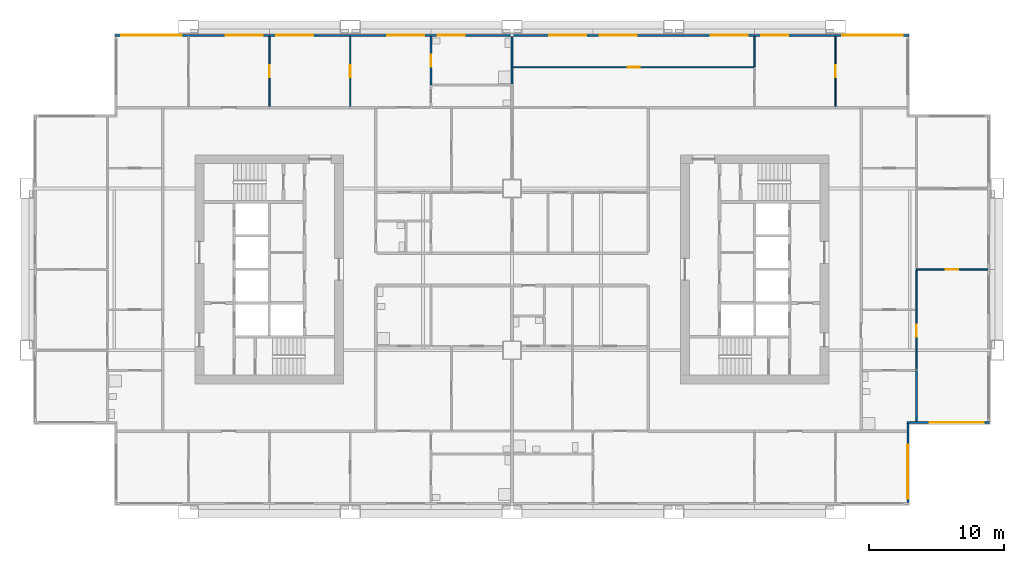
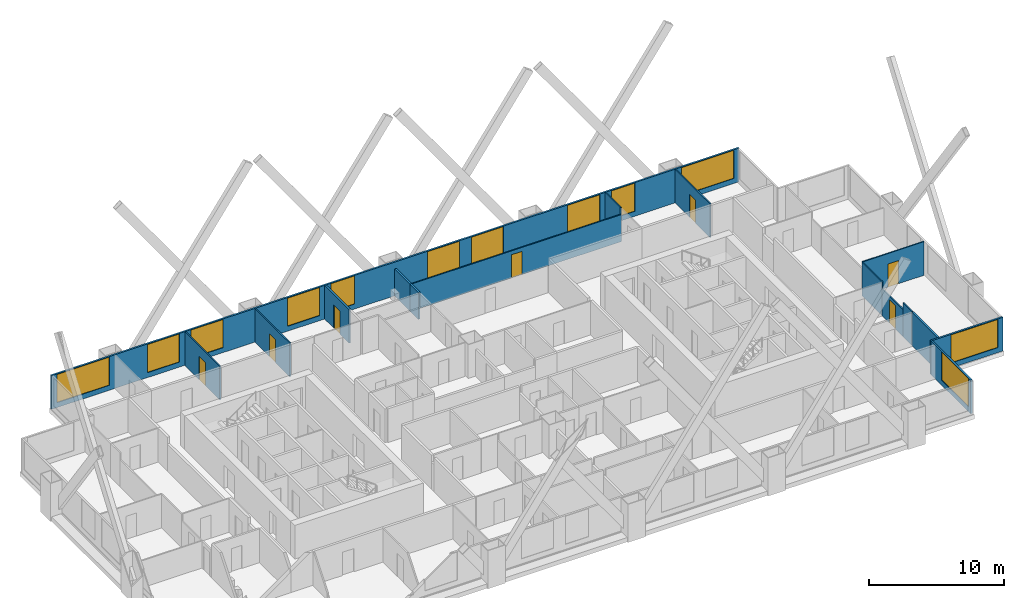
# One storey, part 8 of 11: 16 walls, 12 windows, 7 doors, 19 openings.
"""IFC4 building model written with IfcOpenShell, lengths in metres."""

from ifc_helpers import new_model, si_unit, direction, frame, frame_2d, origin, place, context, subcontext, project, spatial, rectangle, extrude, material, layer, layer_set, type_object, element, fill, save


model = new_model("IFC4")

# Units and contexts
model_context = context("Model", 3, precision=1e-05, world=origin(), true_north=direction((0.0, 1.0)))
body_context = subcontext(model_context, "Body", "Model", "MODEL_VIEW")
ifc_project = project(units=[si_unit("LENGTHUNIT", "METRE"), si_unit("AREAUNIT", "SQUARE_METRE"), si_unit("VOLUMEUNIT", "CUBIC_METRE"), si_unit("PLANEANGLEUNIT", "RADIAN"), si_unit("MASSUNIT", "GRAM", prefix="KILO")], contexts=[model_context])

# Site, building, storey
site_placement = place(None, origin())
site = spatial("IfcSite", under=ifc_project, at=site_placement, CompositionType="ELEMENT")
building_placement = place(site_placement, origin())
building = spatial("IfcBuilding", under=site, at=building_placement, Name="Kitamizu Gate Tower and Museum", CompositionType="ELEMENT")
storey_placement = place(building_placement, frame((0.0, 0.0, 96.60009765625)))
storey = spatial("IfcBuildingStorey", under=building, at=storey_placement, Name="L24", CompositionType="ELEMENT", Elevation=96.60009765625)

# Wall, opening, door
ifc_material_1 = material(Name="Gypsum board on galvanised stud")
ifc_layer_1 = layer(ifc_material_1, 0.10009765625)
ifc_layer_set_1 = layer_set([ifc_layer_1], Name="Gypsum board on galvanised stud")
wall_type_1 = type_object("IfcWallType", Name="Partition 100 NOT RATED", PredefinedType="PARTITIONING", material=ifc_layer_set_1)
wall_1_placement = place(storey_placement, frame((71.280029296875, 30.0, 0.0), z_axis=(0.0, 0.0, 1.0), x_axis=(-1.0, 0.0, 0.0)))
wall_1 = element("IfcWall", 1, at=wall_1_placement, inside=storey, type_object=wall_type_1, Name="Partition L24-074", PredefinedType="PARTITIONING", context=body_context, shape_type="SweptSolid", body=[
    extrude(rectangle(XDim=5.280029296875, YDim=0.10009765625, at=frame_2d((2.64013671875, 0.0))), origin(), (0.0, 0.0, 1.0), 3.0498046875),
])
opening_1_placement = place(wall_1_placement, frame((2.18994140625, 0.0, 0.0)))
opening_1 = element("IfcOpeningElement", 2, at=opening_1_placement, cuts=wall_1, Name="Opening L24-032", PredefinedType="OPENING", context=body_context, shape_type="SweptSolid", body=[
    extrude(rectangle(XDim=0.89990234375, YDim=2.10009765625, at=frame_2d((0.449951171875, 1.050048828125))), frame((0.0, 0.06005859375, 0.0), z_axis=(0.0, -1.0, 0.0), x_axis=(1.0, 0.0, 0.0)), (0.0, 0.0, 1.0), 0.1201171875),
])
ifc_material_2 = material(Name="Timber door set", Category="wood")
door_type_1 = type_object("IfcDoorType", Name="Room door 900", OperationType="NOTDEFINED", PredefinedType="DOOR", material=ifc_material_2)
door_1_placement = place(opening_1_placement, frame((0.89990234375, 0.0, 0.0), x_axis=(-1.0, 0.0, 0.0)))
door_1 = element("IfcDoor", 3, at=door_1_placement, inside=storey, type_object=door_type_1, Name="Door L24-032", OperationType="SINGLE_SWING_LEFT", OverallHeight=2.10009765625, OverallWidth=0.89990234375, PredefinedType="DOOR", context=body_context, shape_type="SweptSolid", body=[
    extrude(rectangle(XDim=0.89990234375, YDim=2.10009765625, at=frame_2d((0.449951171875, 1.050048828125))), frame((0.0, 0.02490234375, 0.0), z_axis=(0.0, -1.0, 0.0), x_axis=(1.0, 0.0, 0.0)), (0.0, 0.0, 1.0), 0.050048828125),
])
fill(opening_1, door_1)

wall_2_placement = place(storey_placement, frame((66.0, 27.0, 0.0), z_axis=(0.0, 0.0, 1.0), x_axis=(0.0, -1.0, 0.0)))
wall_2 = element("IfcWall", 4, at=wall_2_placement, inside=storey, type_object=wall_type_1, Name="Partition L24-076", PredefinedType="PARTITIONING", context=body_context, shape_type="SweptSolid", body=[
    extrude(rectangle(XDim=3.10009765625, YDim=0.10009765625, at=frame_2d((1.550048828125, 0.0))), origin(), (0.0, 0.0, 1.0), 2.449951171875),
])
opening_2_placement = place(wall_2_placement, frame((1.10009765625, 0.0, 0.0)))
opening_2 = element("IfcOpeningElement", 5, at=opening_2_placement, cuts=wall_2, Name="Opening L24-030", PredefinedType="OPENING", context=body_context, shape_type="SweptSolid", body=[
    extrude(rectangle(XDim=0.89990234375, YDim=2.10009765625, at=frame_2d((0.449951171875, 1.050048828125))), frame((0.0, 0.06005859375, 0.0), z_axis=(0.0, -1.0, 0.0), x_axis=(1.0, 0.0, 0.0)), (0.0, 0.0, 1.0), 0.1201171875),
])
door_2_placement = place(opening_2_placement, origin())
door_2 = element("IfcDoor", 6, at=door_2_placement, inside=storey, type_object=door_type_1, Name="Door L24-030", OperationType="SINGLE_SWING_RIGHT", OverallHeight=2.10009765625, OverallWidth=0.89990234375, PredefinedType="DOOR", context=body_context, shape_type="SweptSolid", body=[
    extrude(rectangle(XDim=0.89990234375, YDim=2.10009765625, at=frame_2d((0.449951171875, 1.050048828125))), frame((0.0, 0.02490234375, 0.0), z_axis=(0.0, -1.0, 0.0), x_axis=(1.0, 0.0, 0.0)), (0.0, 0.0, 1.0), 0.050048828125),
])
fill(opening_2, door_2)

# Walls
wall_3_placement = place(storey_placement, frame((66.0, 23.89990234375, 0.0), z_axis=(0.0, 0.0, 1.0), x_axis=(0.0, -1.0, 0.0)))
element("IfcWall", 7, at=wall_3_placement, inside=storey, type_object=wall_type_1, Name="Partition L24-077", PredefinedType="PARTITIONING", context=body_context, shape_type="SweptSolid", body=[
    extrude(rectangle(XDim=1.324951171875, YDim=0.10009765625, at=frame_2d((0.66259765625, 0.0))), origin(), (0.0, 0.0, 1.0), 3.0498046875),
])
wall_4_placement = place(storey_placement, frame((66.0, 29.949951171875, 0.0), z_axis=(0.0, 0.0, 1.0), x_axis=(0.0, -1.0, 0.0)))
element("IfcWall", 8, at=wall_4_placement, inside=storey, type_object=wall_type_1, Name="Partition L24-078", PredefinedType="PARTITIONING", context=body_context, shape_type="SweptSolid", body=[
    extrude(rectangle(XDim=2.949951171875, YDim=0.10009765625, at=frame_2d((1.47509765625, 0.0))), origin(), (0.0, 0.0, 1.0), 3.0498046875),
])

# Wall, opening, door
wall_5_placement = place(storey_placement, frame((18.0, 42.10009765625, 0.0), z_axis=(0.0, 0.0, 1.0), x_axis=(0.0, 1.0, 0.0)))
wall_5 = element("IfcWall", 9, at=wall_5_placement, inside=storey, type_object=wall_type_1, Name="Partition L24-095", PredefinedType="PARTITIONING", context=body_context, shape_type="SweptSolid", body=[
    extrude(rectangle(XDim=5.179931640625, YDim=0.10009765625, at=frame_2d((2.58984375, 0.0))), origin(), (0.0, 0.0, 1.0), 3.0498046875),
])
opening_3_placement = place(wall_5_placement, frame((2.139892578125, 0.0, 0.0)))
opening_3 = element("IfcOpeningElement", 10, at=opening_3_placement, cuts=wall_5, Name="Opening L24-038", PredefinedType="OPENING", context=body_context, shape_type="SweptSolid", body=[
    extrude(rectangle(XDim=0.89990234375, YDim=2.10009765625, at=frame_2d((0.449951171875, 1.050048828125))), frame((0.0, 0.06005859375, 0.0), z_axis=(0.0, -1.0, 0.0), x_axis=(1.0, 0.0, 0.0)), (0.0, 0.0, 1.0), 0.1201171875),
])
door_3_placement = place(opening_3_placement, frame((0.89990234375, 0.0, 0.0), x_axis=(-1.0, 0.0, 0.0)))
door_3 = element("IfcDoor", 11, at=door_3_placement, inside=storey, type_object=door_type_1, Name="Door L24-038", OperationType="SINGLE_SWING_LEFT", OverallHeight=2.10009765625, OverallWidth=0.89990234375, PredefinedType="DOOR", context=body_context, shape_type="SweptSolid", body=[
    extrude(rectangle(XDim=0.89990234375, YDim=2.10009765625, at=frame_2d((0.449951171875, 1.050048828125))), frame((0.0, 0.02490234375, 0.0), z_axis=(0.0, -1.0, 0.0), x_axis=(1.0, 0.0, 0.0)), (0.0, 0.0, 1.0), 0.050048828125),
])
fill(opening_3, door_3)

wall_6_placement = place(storey_placement, frame((24.0, 42.10009765625, 0.0), z_axis=(0.0, 0.0, 1.0), x_axis=(0.0, 1.0, 0.0)))
wall_6 = element("IfcWall", 12, at=wall_6_placement, inside=storey, type_object=wall_type_1, Name="Partition L24-097", PredefinedType="PARTITIONING", context=body_context, shape_type="SweptSolid", body=[
    extrude(rectangle(XDim=5.179931640625, YDim=0.10009765625, at=frame_2d((2.58984375, 0.0))), origin(), (0.0, 0.0, 1.0), 3.0498046875),
])
opening_4_placement = place(wall_6_placement, frame((2.139892578125, 0.0, 0.0)))
opening_4 = element("IfcOpeningElement", 13, at=opening_4_placement, cuts=wall_6, Name="Opening L24-039", PredefinedType="OPENING", context=body_context, shape_type="SweptSolid", body=[
    extrude(rectangle(XDim=0.89990234375, YDim=2.10009765625, at=frame_2d((0.449951171875, 1.050048828125))), frame((0.0, 0.06005859375, 0.0), z_axis=(0.0, -1.0, 0.0), x_axis=(1.0, 0.0, 0.0)), (0.0, 0.0, 1.0), 0.1201171875),
])
door_4_placement = place(opening_4_placement, origin())
door_4 = element("IfcDoor", 14, at=door_4_placement, inside=storey, type_object=door_type_1, Name="Door L24-039", OperationType="SINGLE_SWING_LEFT", OverallHeight=2.10009765625, OverallWidth=0.89990234375, PredefinedType="DOOR", context=body_context, shape_type="SweptSolid", body=[
    extrude(rectangle(XDim=0.89990234375, YDim=2.10009765625, at=frame_2d((0.449951171875, 1.050048828125))), frame((0.0, 0.02490234375, 0.0), z_axis=(0.0, -1.0, 0.0), x_axis=(1.0, 0.0, 0.0)), (0.0, 0.0, 1.0), 0.050048828125),
])
fill(opening_4, door_4)

wall_7_placement = place(storey_placement, frame((54.0, 45.0, 0.0), z_axis=(0.0, 0.0, 1.0), x_axis=(-1.0, 0.0, 0.0)))
wall_7 = element("IfcWall", 15, at=wall_7_placement, inside=storey, type_object=wall_type_1, Name="Partition L24-109", PredefinedType="PARTITIONING", context=body_context, shape_type="SweptSolid", body=[
    extrude(rectangle(XDim=17.925048828125, YDim=0.10009765625, at=frame_2d((8.96240234375, 0.0))), origin(), (0.0, 0.0, 1.0), 2.449951171875),
])
opening_5_placement = place(wall_7_placement, frame((8.512451171875, 0.0, 0.0)))
opening_5 = element("IfcOpeningElement", 16, at=opening_5_placement, cuts=wall_7, Name="Opening L24-051", PredefinedType="OPENING", context=body_context, shape_type="SweptSolid", body=[
    extrude(rectangle(XDim=0.89990234375, YDim=2.10009765625, at=frame_2d((0.449951171875, 1.050048828125))), frame((0.0, 0.06005859375, 0.0), z_axis=(0.0, -1.0, 0.0), x_axis=(1.0, 0.0, 0.0)), (0.0, 0.0, 1.0), 0.1201171875),
])
door_5_placement = place(opening_5_placement, frame((0.89990234375, 0.0, 0.0), x_axis=(-1.0, 0.0, 0.0)))
door_5 = element("IfcDoor", 17, at=door_5_placement, inside=storey, type_object=door_type_1, Name="Door L24-051", OperationType="SINGLE_SWING_LEFT", OverallHeight=2.10009765625, OverallWidth=0.89990234375, PredefinedType="DOOR", context=body_context, shape_type="SweptSolid", body=[
    extrude(rectangle(XDim=0.89990234375, YDim=2.10009765625, at=frame_2d((0.449951171875, 1.050048828125))), frame((0.0, 0.02490234375, 0.0), z_axis=(0.0, -1.0, 0.0), x_axis=(1.0, 0.0, 0.0)), (0.0, 0.0, 1.0), 0.050048828125),
])
fill(opening_5, door_5)

# Wall
wall_8_placement = place(storey_placement, frame((54.0, 45.050048828125, 0.0), z_axis=(0.0, 0.0, 1.0), x_axis=(0.0, 1.0, 0.0)))
element("IfcWall", 18, at=wall_8_placement, inside=storey, type_object=wall_type_1, Name="Partition L24-113", PredefinedType="PARTITIONING", context=body_context, shape_type="SweptSolid", body=[
    extrude(rectangle(XDim=2.22998046875, YDim=0.10009765625, at=frame_2d((1.114990234375, 0.0))), origin(), (0.0, 0.0, 1.0), 3.0498046875),
])

# Wall, opening, door
wall_9_placement = place(storey_placement, frame((60.0, 42.10009765625, 0.0), z_axis=(0.0, 0.0, 1.0), x_axis=(0.0, 1.0, 0.0)))
wall_9 = element("IfcWall", 19, at=wall_9_placement, inside=storey, type_object=wall_type_1, Name="Partition L24-114", PredefinedType="PARTITIONING", context=body_context, shape_type="SweptSolid", body=[
    extrude(rectangle(XDim=5.179931640625, YDim=0.10009765625, at=frame_2d((2.58984375, 0.0))), origin(), (0.0, 0.0, 1.0), 3.0498046875),
])
opening_6_placement = place(wall_9_placement, frame((2.139892578125, 0.0, 0.0)))
opening_6 = element("IfcOpeningElement", 20, at=opening_6_placement, cuts=wall_9, Name="Opening L24-053", PredefinedType="OPENING", context=body_context, shape_type="SweptSolid", body=[
    extrude(rectangle(XDim=0.89990234375, YDim=2.10009765625, at=frame_2d((0.449951171875, 1.050048828125))), frame((0.0, 0.06005859375, 0.0), z_axis=(0.0, -1.0, 0.0), x_axis=(1.0, 0.0, 0.0)), (0.0, 0.0, 1.0), 0.1201171875),
])
door_6_placement = place(opening_6_placement, frame((0.89990234375, 0.0, 0.0), x_axis=(-1.0, 0.0, 0.0)))
door_6 = element("IfcDoor", 21, at=door_6_placement, inside=storey, type_object=door_type_1, Name="Door L24-053", OperationType="SINGLE_SWING_RIGHT", OverallHeight=2.10009765625, OverallWidth=0.89990234375, PredefinedType="DOOR", context=body_context, shape_type="SweptSolid", body=[
    extrude(rectangle(XDim=0.89990234375, YDim=2.10009765625, at=frame_2d((0.449951171875, 1.050048828125))), frame((0.0, 0.02490234375, 0.0), z_axis=(0.0, -1.0, 0.0), x_axis=(1.0, 0.0, 0.0)), (0.0, 0.0, 1.0), 0.050048828125),
])
fill(opening_6, door_6)

# Wall
ifc_material_3 = material(Name="Gypsum board on galvanised stud")
ifc_layer_2 = layer(ifc_material_3, 0.14990234375)
ifc_layer_set_2 = layer_set([ifc_layer_2], Name="Gypsum board on galvanised stud")
wall_type_2 = type_object("IfcWallType", Name="Partition 150", PredefinedType="PARTITIONING", material=ifc_layer_set_2)
wall_10_placement = place(storey_placement, frame((66.0, 22.5, 0.0), z_axis=(0.0, 0.0, 1.0), x_axis=(0.0, -1.0, 0.0)))
element("IfcWall", 22, at=wall_10_placement, inside=storey, type_object=wall_type_2, Name="Partition L24-075", PredefinedType="PARTITIONING", context=body_context, shape_type="SweptSolid", body=[
    extrude(rectangle(XDim=3.780029296875, YDim=0.14990234375, at=frame_2d((1.89013671875, 0.0))), origin(), (0.0, 0.0, 1.0), 3.0498046875),
])

# Wall, opening, door
wall_11_placement = place(storey_placement, frame((30.0, 43.679931640625, 0.0), z_axis=(0.0, 0.0, 1.0), x_axis=(0.0, 1.0, 0.0)))
wall_11 = element("IfcWall", 23, at=wall_11_placement, inside=storey, type_object=wall_type_2, Name="Partition L24-099", PredefinedType="PARTITIONING", context=body_context, shape_type="SweptSolid", body=[
    extrude(rectangle(XDim=3.60009765625, YDim=0.14990234375, at=frame_2d((1.800048828125, 0.0))), origin(), (0.0, 0.0, 1.0), 3.0498046875),
])
opening_7_placement = place(wall_11_placement, frame((1.35009765625, 0.0, 0.0)))
opening_7 = element("IfcOpeningElement", 24, at=opening_7_placement, cuts=wall_11, Name="Opening L24-040", PredefinedType="OPENING", context=body_context, shape_type="SweptSolid", body=[
    extrude(rectangle(XDim=0.89990234375, YDim=2.10009765625, at=frame_2d((0.449951171875, 1.050048828125))), frame((0.0, 0.0849609375, 0.0), z_axis=(0.0, -1.0, 0.0), x_axis=(1.0, 0.0, 0.0)), (0.0, 0.0, 1.0), 0.169921875),
])
ifc_material_4 = material(Name="Timber door set", Category="wood")
door_type_2 = type_object("IfcDoorType", Name="Bathroom door 900", OperationType="NOTDEFINED", PredefinedType="DOOR", material=ifc_material_4)
door_7_placement = place(opening_7_placement, frame((0.89990234375, 0.0, 0.0), x_axis=(-1.0, 0.0, 0.0)))
door_7 = element("IfcDoor", 25, at=door_7_placement, inside=storey, type_object=door_type_2, Name="Bathroom door L24-040", OperationType="SINGLE_SWING_LEFT", OverallHeight=2.10009765625, OverallWidth=0.89990234375, PredefinedType="DOOR", context=body_context, shape_type="SweptSolid", body=[
    extrude(rectangle(XDim=0.89990234375, YDim=2.10009765625, at=frame_2d((0.449951171875, 1.050048828125))), frame((0.0, 0.02490234375, 0.0), z_axis=(0.0, -1.0, 0.0), x_axis=(1.0, 0.0, 0.0)), (0.0, 0.0, 1.0), 0.050048828125),
])
fill(opening_7, door_7)

# Walls
wall_12_placement = place(storey_placement, frame((36.0, 43.7548828125, 0.0), z_axis=(0.0, 0.0, 1.0), x_axis=(0.0, 1.0, 0.0)))
element("IfcWall", 26, at=wall_12_placement, inside=storey, type_object=wall_type_2, Name="Partition L24-104", PredefinedType="PARTITIONING", context=body_context, shape_type="SweptSolid", body=[
    extrude(rectangle(XDim=1.2451171875, YDim=0.14990234375, at=frame_2d((0.62255859375, 0.0))), origin(), (0.0, 0.0, 1.0), 2.449951171875),
])
wall_13_placement = place(storey_placement, frame((36.0, 45.0, 0.0), z_axis=(0.0, 0.0, 1.0), x_axis=(0.0, 1.0, 0.0)))
element("IfcWall", 27, at=wall_13_placement, inside=storey, type_object=wall_type_2, Name="Partition L24-105", PredefinedType="PARTITIONING", context=body_context, shape_type="SweptSolid", body=[
    extrude(rectangle(XDim=2.280029296875, YDim=0.14990234375, at=frame_2d((1.14013671875, 0.0))), origin(), (0.0, 0.0, 1.0), 2.449951171875),
])

# Wall, opening, window
ifc_material_5 = material(Name="Bronze anodised aluminium frame with insulated spandrel and tinted glass", Category="aluminium")
ifc_layer_3 = layer(ifc_material_5, 0.14990234375)
ifc_layer_set_3 = layer_set([ifc_layer_3], Name="Bronze anodised aluminium frame with insulated spandrel and tinted glass")
wall_type_3 = type_object("IfcWallType", Name="WINDOW WALL 150 BRONZE FRAME EI 30", PredefinedType="ELEMENTEDWALL", material=ifc_layer_set_3)
wall_14_placement = place(storey_placement, frame((65.364990234375, 12.7099609375, 0.0), z_axis=(0.0, 0.0, 1.0), x_axis=(0.0, 1.0, 0.0)))
wall_14 = element("IfcWall", 28, at=wall_14_placement, inside=storey, type_object=wall_type_3, Name="Window wall east L24", PredefinedType="ELEMENTEDWALL", context=body_context, shape_type="SweptSolid", body=[
    extrude(rectangle(XDim=5.85009765625, YDim=0.14990234375, at=frame_2d((2.925048828125, 0.0))), origin(), (0.0, 0.0, 1.0), 3.0498046875),
])
opening_8_placement = place(wall_14_placement, frame((0.2900390625, 0.0, 0.449951171875)))
opening_8 = element("IfcOpeningElement", 29, at=opening_8_placement, cuts=wall_14, Name="Opening W16", PredefinedType="OPENING", context=body_context, shape_type="SweptSolid", body=[
    extrude(rectangle(XDim=4.0, YDim=2.550048828125, at=frame_2d((2.0, 1.27490234375))), frame((0.0, 0.0849609375, 0.0), z_axis=(0.0, -1.0, 0.0), x_axis=(1.0, 0.0, 0.0)), (0.0, 0.0, 1.0), 0.169921875),
])
ifc_material_6 = material(Name="Bronze anodised aluminium frame, tinted triple glazing", Category="aluminium")
window_type_1 = type_object("IfcWindowType", Name="WINDOW 4000 x 2550 SILL 450", PartitioningType="SINGLE_PANEL", PredefinedType="WINDOW", material=ifc_material_6)
window_1_placement = place(opening_8_placement, origin())
window_1 = element("IfcWindow", 30, at=window_1_placement, inside=storey, type_object=window_type_1, Name="Window W16 L24", OverallHeight=2.550048828125, OverallWidth=4.0, PartitioningType="SINGLE_PANEL", PredefinedType="WINDOW", context=body_context, shape_type="SweptSolid", body=[
    extrude(rectangle(XDim=4.0, YDim=2.550048828125, at=frame_2d((2.0, 1.27490234375))), frame((0.0, 0.030029296875, 0.0), z_axis=(0.0, -1.0, 0.0), x_axis=(1.0, 0.0, 0.0)), (0.0, 0.0, 1.0), 0.06005859375),
])
fill(opening_8, window_1)

wall_15_placement = place(storey_placement, frame((65.2900390625, 18.635009765625, 0.0), z_axis=(0.0, 0.0, 1.0), x_axis=(1.0, 0.0, 0.0)))
wall_15 = element("IfcWall", 31, at=wall_15_placement, inside=storey, type_object=wall_type_3, Name="Window wall south L24", PredefinedType="ELEMENTEDWALL", context=body_context, shape_type="SweptSolid", body=[
    extrude(rectangle(XDim=6.14990234375, YDim=0.14990234375, at=frame_2d((3.074951171875, 0.0))), origin(), (0.0, 0.0, 1.0), 3.0498046875),
])
opening_9_placement = place(wall_15_placement, frame((1.7099609375, 0.0, 0.449951171875)))
opening_9 = element("IfcOpeningElement", 32, at=opening_9_placement, cuts=wall_15, Name="Opening W16", PredefinedType="OPENING", context=body_context, shape_type="SweptSolid", body=[
    extrude(rectangle(XDim=4.0, YDim=2.550048828125, at=frame_2d((2.0, 1.27490234375))), frame((0.0, 0.0849609375, 0.0), z_axis=(0.0, -1.0, 0.0), x_axis=(1.0, 0.0, 0.0)), (0.0, 0.0, 1.0), 0.169921875),
])
window_2_placement = place(opening_9_placement, origin())
window_2 = element("IfcWindow", 33, at=window_2_placement, inside=storey, type_object=window_type_1, Name="Window W16 L24", OverallHeight=2.550048828125, OverallWidth=4.0, PartitioningType="SINGLE_PANEL", PredefinedType="WINDOW", context=body_context, shape_type="SweptSolid", body=[
    extrude(rectangle(XDim=4.0, YDim=2.550048828125, at=frame_2d((2.0, 1.27490234375))), frame((0.0, 0.030029296875, 0.0), z_axis=(0.0, -1.0, 0.0), x_axis=(1.0, 0.0, 0.0)), (0.0, 0.0, 1.0), 0.06005859375),
])
fill(opening_9, window_2)

# Wall, openings, windows
wall_16_placement = place(storey_placement, frame((6.56005859375, 47.364990234375, 0.0), z_axis=(0.0, 0.0, 1.0), x_axis=(1.0, 0.0, 0.0)))
wall_16 = element("IfcWall", 34, at=wall_16_placement, inside=storey, type_object=wall_type_3, Name="Window wall north L24", PredefinedType="ELEMENTEDWALL", context=body_context, shape_type="SweptSolid", body=[
    extrude(rectangle(XDim=58.8798828125, YDim=0.14990234375, at=frame_2d((29.43994140625, 0.0))), origin(), (0.0, 0.0, 1.0), 3.0498046875),
])
opening_10_placement = place(wall_16_placement, frame((0.43994140625, 0.0, 0.449951171875)))
opening_10 = element("IfcOpeningElement", 35, at=opening_10_placement, cuts=wall_16, Name="Opening W15", PredefinedType="OPENING", context=body_context, shape_type="SweptSolid", body=[
    extrude(rectangle(XDim=4.5, YDim=2.550048828125, at=frame_2d((2.25, 1.27490234375))), frame((0.0, 0.0849609375, 0.0), z_axis=(0.0, -1.0, 0.0), x_axis=(1.0, 0.0, 0.0)), (0.0, 0.0, 1.0), 0.169921875),
])
opening_11_placement = place(wall_16_placement, frame((8.18994140625, 0.0, 0.449951171875)))
opening_11 = element("IfcOpeningElement", 36, at=opening_11_placement, cuts=wall_16, Name="Opening W32", PredefinedType="OPENING", context=body_context, shape_type="SweptSolid", body=[
    extrude(rectangle(XDim=2.75, YDim=2.550048828125, at=frame_2d((1.375, 1.27490234375))), frame((0.0, 0.0849609375, 0.0), z_axis=(0.0, -1.0, 0.0), x_axis=(1.0, 0.0, 0.0)), (0.0, 0.0, 1.0), 0.169921875),
])
opening_12_placement = place(wall_16_placement, frame((11.93994140625, 0.0, 0.449951171875)))
opening_12 = element("IfcOpeningElement", 37, at=opening_12_placement, cuts=wall_16, Name="Opening W32", PredefinedType="OPENING", context=body_context, shape_type="SweptSolid", body=[
    extrude(rectangle(XDim=2.75, YDim=2.550048828125, at=frame_2d((1.375, 1.27490234375))), frame((0.0, 0.0849609375, 0.0), z_axis=(0.0, -1.0, 0.0), x_axis=(1.0, 0.0, 0.0)), (0.0, 0.0, 1.0), 0.169921875),
])
opening_13_placement = place(wall_16_placement, frame((20.18994140625, 0.0, 0.449951171875)))
opening_13 = element("IfcOpeningElement", 38, at=opening_13_placement, cuts=wall_16, Name="Opening W32", PredefinedType="OPENING", context=body_context, shape_type="SweptSolid", body=[
    extrude(rectangle(XDim=2.75, YDim=2.550048828125, at=frame_2d((1.375, 1.27490234375))), frame((0.0, 0.0849609375, 0.0), z_axis=(0.0, -1.0, 0.0), x_axis=(1.0, 0.0, 0.0)), (0.0, 0.0, 1.0), 0.169921875),
])
opening_14_placement = place(wall_16_placement, frame((23.93994140625, 0.0, 0.449951171875)))
opening_14 = element("IfcOpeningElement", 39, at=opening_14_placement, cuts=wall_16, Name="Opening W2", PredefinedType="OPENING", context=body_context, shape_type="SweptSolid", body=[
    extrude(rectangle(XDim=2.0, YDim=2.550048828125, at=frame_2d((1.0, 1.27490234375))), frame((0.0, 0.0849609375, 0.0), z_axis=(0.0, -1.0, 0.0), x_axis=(1.0, 0.0, 0.0)), (0.0, 0.0, 1.0), 0.169921875),
])
opening_15_placement = place(wall_16_placement, frame((32.18994140625, 0.0, 0.449951171875)))
opening_15 = element("IfcOpeningElement", 40, at=opening_15_placement, cuts=wall_16, Name="Opening W32", PredefinedType="OPENING", context=body_context, shape_type="SweptSolid", body=[
    extrude(rectangle(XDim=2.75, YDim=2.550048828125, at=frame_2d((1.375, 1.27490234375))), frame((0.0, 0.0849609375, 0.0), z_axis=(0.0, -1.0, 0.0), x_axis=(1.0, 0.0, 0.0)), (0.0, 0.0, 1.0), 0.169921875),
])
opening_16_placement = place(wall_16_placement, frame((35.93994140625, 0.0, 0.449951171875)))
opening_16 = element("IfcOpeningElement", 41, at=opening_16_placement, cuts=wall_16, Name="Opening W32", PredefinedType="OPENING", context=body_context, shape_type="SweptSolid", body=[
    extrude(rectangle(XDim=2.75, YDim=2.550048828125, at=frame_2d((1.375, 1.27490234375))), frame((0.0, 0.0849609375, 0.0), z_axis=(0.0, -1.0, 0.0), x_axis=(1.0, 0.0, 0.0)), (0.0, 0.0, 1.0), 0.169921875),
])
opening_17_placement = place(wall_16_placement, frame((44.18994140625, 0.0, 0.449951171875)))
opening_17 = element("IfcOpeningElement", 42, at=opening_17_placement, cuts=wall_16, Name="Opening W32", PredefinedType="OPENING", context=body_context, shape_type="SweptSolid", body=[
    extrude(rectangle(XDim=2.75, YDim=2.550048828125, at=frame_2d((1.375, 1.27490234375))), frame((0.0, 0.0849609375, 0.0), z_axis=(0.0, -1.0, 0.0), x_axis=(1.0, 0.0, 0.0)), (0.0, 0.0, 1.0), 0.169921875),
])
opening_18_placement = place(wall_16_placement, frame((47.93994140625, 0.0, 0.449951171875)))
opening_18 = element("IfcOpeningElement", 43, at=opening_18_placement, cuts=wall_16, Name="Opening W2", PredefinedType="OPENING", context=body_context, shape_type="SweptSolid", body=[
    extrude(rectangle(XDim=2.0, YDim=2.550048828125, at=frame_2d((1.0, 1.27490234375))), frame((0.0, 0.0849609375, 0.0), z_axis=(0.0, -1.0, 0.0), x_axis=(1.0, 0.0, 0.0)), (0.0, 0.0, 1.0), 0.169921875),
])
opening_19_placement = place(wall_16_placement, frame((53.93994140625, 0.0, 0.449951171875)))
opening_19 = element("IfcOpeningElement", 44, at=opening_19_placement, cuts=wall_16, Name="Opening W15", PredefinedType="OPENING", context=body_context, shape_type="SweptSolid", body=[
    extrude(rectangle(XDim=4.5, YDim=2.550048828125, at=frame_2d((2.25, 1.27490234375))), frame((0.0, 0.0849609375, 0.0), z_axis=(0.0, -1.0, 0.0), x_axis=(1.0, 0.0, 0.0)), (0.0, 0.0, 1.0), 0.169921875),
])
ifc_material_7 = material(Name="Bronze anodised aluminium frame, tinted triple glazing", Category="aluminium")
window_type_2 = type_object("IfcWindowType", Name="WINDOW 2000 x 2550 SILL 450", PartitioningType="SINGLE_PANEL", PredefinedType="WINDOW", material=ifc_material_7)
window_3_placement = place(opening_14_placement, origin())
window_3 = element("IfcWindow", 45, at=window_3_placement, inside=storey, type_object=window_type_2, Name="Window W2 L24", OverallHeight=2.550048828125, OverallWidth=2.0, PartitioningType="SINGLE_PANEL", PredefinedType="WINDOW", context=body_context, shape_type="SweptSolid", body=[
    extrude(rectangle(XDim=2.0, YDim=2.550048828125, at=frame_2d((1.0, 1.27490234375))), frame((0.0, 0.030029296875, 0.0), z_axis=(0.0, -1.0, 0.0), x_axis=(1.0, 0.0, 0.0)), (0.0, 0.0, 1.0), 0.06005859375),
])
fill(opening_14, window_3)
window_4_placement = place(opening_18_placement, origin())
window_4 = element("IfcWindow", 46, at=window_4_placement, inside=storey, type_object=window_type_2, Name="Window W2 L24", OverallHeight=2.550048828125, OverallWidth=2.0, PartitioningType="SINGLE_PANEL", PredefinedType="WINDOW", context=body_context, shape_type="SweptSolid", body=[
    extrude(rectangle(XDim=2.0, YDim=2.550048828125, at=frame_2d((1.0, 1.27490234375))), frame((0.0, 0.030029296875, 0.0), z_axis=(0.0, -1.0, 0.0), x_axis=(1.0, 0.0, 0.0)), (0.0, 0.0, 1.0), 0.06005859375),
])
fill(opening_18, window_4)
ifc_material_8 = material(Name="Bronze anodised aluminium frame, tinted triple glazing", Category="aluminium")
window_type_3 = type_object("IfcWindowType", Name="WINDOW 2750 x 2550 SILL 450", PartitioningType="SINGLE_PANEL", PredefinedType="WINDOW", material=ifc_material_8)
window_5_placement = place(opening_11_placement, origin())
window_5 = element("IfcWindow", 47, at=window_5_placement, inside=storey, type_object=window_type_3, Name="Window W32 L24", OverallHeight=2.550048828125, OverallWidth=2.75, PartitioningType="SINGLE_PANEL", PredefinedType="WINDOW", context=body_context, shape_type="SweptSolid", body=[
    extrude(rectangle(XDim=2.75, YDim=2.550048828125, at=frame_2d((1.375, 1.27490234375))), frame((0.0, 0.030029296875, 0.0), z_axis=(0.0, -1.0, 0.0), x_axis=(1.0, 0.0, 0.0)), (0.0, 0.0, 1.0), 0.06005859375),
])
fill(opening_11, window_5)
window_6_placement = place(opening_12_placement, origin())
window_6 = element("IfcWindow", 48, at=window_6_placement, inside=storey, type_object=window_type_3, Name="Window W32 L24", OverallHeight=2.550048828125, OverallWidth=2.75, PartitioningType="SINGLE_PANEL", PredefinedType="WINDOW", context=body_context, shape_type="SweptSolid", body=[
    extrude(rectangle(XDim=2.75, YDim=2.550048828125, at=frame_2d((1.375, 1.27490234375))), frame((0.0, 0.030029296875, 0.0), z_axis=(0.0, -1.0, 0.0), x_axis=(1.0, 0.0, 0.0)), (0.0, 0.0, 1.0), 0.06005859375),
])
fill(opening_12, window_6)
window_7_placement = place(opening_13_placement, origin())
window_7 = element("IfcWindow", 49, at=window_7_placement, inside=storey, type_object=window_type_3, Name="Window W32 L24", OverallHeight=2.550048828125, OverallWidth=2.75, PartitioningType="SINGLE_PANEL", PredefinedType="WINDOW", context=body_context, shape_type="SweptSolid", body=[
    extrude(rectangle(XDim=2.75, YDim=2.550048828125, at=frame_2d((1.375, 1.27490234375))), frame((0.0, 0.030029296875, 0.0), z_axis=(0.0, -1.0, 0.0), x_axis=(1.0, 0.0, 0.0)), (0.0, 0.0, 1.0), 0.06005859375),
])
fill(opening_13, window_7)
window_8_placement = place(opening_15_placement, origin())
window_8 = element("IfcWindow", 50, at=window_8_placement, inside=storey, type_object=window_type_3, Name="Window W32 L24", OverallHeight=2.550048828125, OverallWidth=2.75, PartitioningType="SINGLE_PANEL", PredefinedType="WINDOW", context=body_context, shape_type="SweptSolid", body=[
    extrude(rectangle(XDim=2.75, YDim=2.550048828125, at=frame_2d((1.375, 1.27490234375))), frame((0.0, 0.030029296875, 0.0), z_axis=(0.0, -1.0, 0.0), x_axis=(1.0, 0.0, 0.0)), (0.0, 0.0, 1.0), 0.06005859375),
])
fill(opening_15, window_8)
window_9_placement = place(opening_16_placement, origin())
window_9 = element("IfcWindow", 51, at=window_9_placement, inside=storey, type_object=window_type_3, Name="Window W32 L24", OverallHeight=2.550048828125, OverallWidth=2.75, PartitioningType="SINGLE_PANEL", PredefinedType="WINDOW", context=body_context, shape_type="SweptSolid", body=[
    extrude(rectangle(XDim=2.75, YDim=2.550048828125, at=frame_2d((1.375, 1.27490234375))), frame((0.0, 0.030029296875, 0.0), z_axis=(0.0, -1.0, 0.0), x_axis=(1.0, 0.0, 0.0)), (0.0, 0.0, 1.0), 0.06005859375),
])
fill(opening_16, window_9)
window_10_placement = place(opening_17_placement, origin())
window_10 = element("IfcWindow", 52, at=window_10_placement, inside=storey, type_object=window_type_3, Name="Window W32 L24", OverallHeight=2.550048828125, OverallWidth=2.75, PartitioningType="SINGLE_PANEL", PredefinedType="WINDOW", context=body_context, shape_type="SweptSolid", body=[
    extrude(rectangle(XDim=2.75, YDim=2.550048828125, at=frame_2d((1.375, 1.27490234375))), frame((0.0, 0.030029296875, 0.0), z_axis=(0.0, -1.0, 0.0), x_axis=(1.0, 0.0, 0.0)), (0.0, 0.0, 1.0), 0.06005859375),
])
fill(opening_17, window_10)
ifc_material_9 = material(Name="Bronze anodised aluminium frame, tinted triple glazing", Category="aluminium")
window_type_4 = type_object("IfcWindowType", Name="WINDOW 4500 x 2550 SILL 450", PartitioningType="SINGLE_PANEL", PredefinedType="WINDOW", material=ifc_material_9)
window_11_placement = place(opening_10_placement, origin())
window_11 = element("IfcWindow", 53, at=window_11_placement, inside=storey, type_object=window_type_4, Name="Window W15 L24", OverallHeight=2.550048828125, OverallWidth=4.5, PartitioningType="SINGLE_PANEL", PredefinedType="WINDOW", context=body_context, shape_type="SweptSolid", body=[
    extrude(rectangle(XDim=4.5, YDim=2.550048828125, at=frame_2d((2.25, 1.27490234375))), frame((0.0, 0.030029296875, 0.0), z_axis=(0.0, -1.0, 0.0), x_axis=(1.0, 0.0, 0.0)), (0.0, 0.0, 1.0), 0.06005859375),
])
fill(opening_10, window_11)
window_12_placement = place(opening_19_placement, origin())
window_12 = element("IfcWindow", 54, at=window_12_placement, inside=storey, type_object=window_type_4, Name="Window W15 L24", OverallHeight=2.550048828125, OverallWidth=4.5, PartitioningType="SINGLE_PANEL", PredefinedType="WINDOW", context=body_context, shape_type="SweptSolid", body=[
    extrude(rectangle(XDim=4.5, YDim=2.550048828125, at=frame_2d((2.25, 1.27490234375))), frame((0.0, 0.030029296875, 0.0), z_axis=(0.0, -1.0, 0.0), x_axis=(1.0, 0.0, 0.0)), (0.0, 0.0, 1.0), 0.06005859375),
])
fill(opening_19, window_12)

save(model, "model.ifc")
